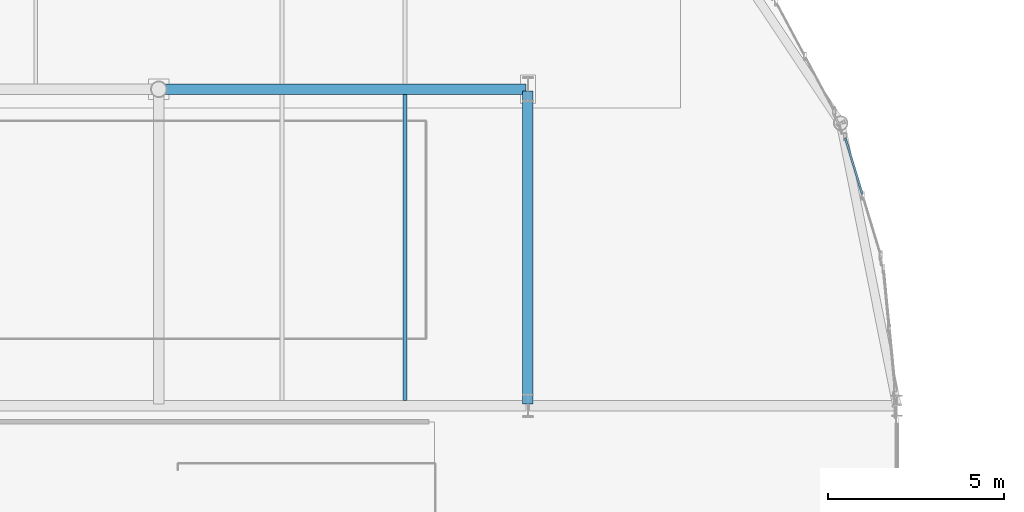
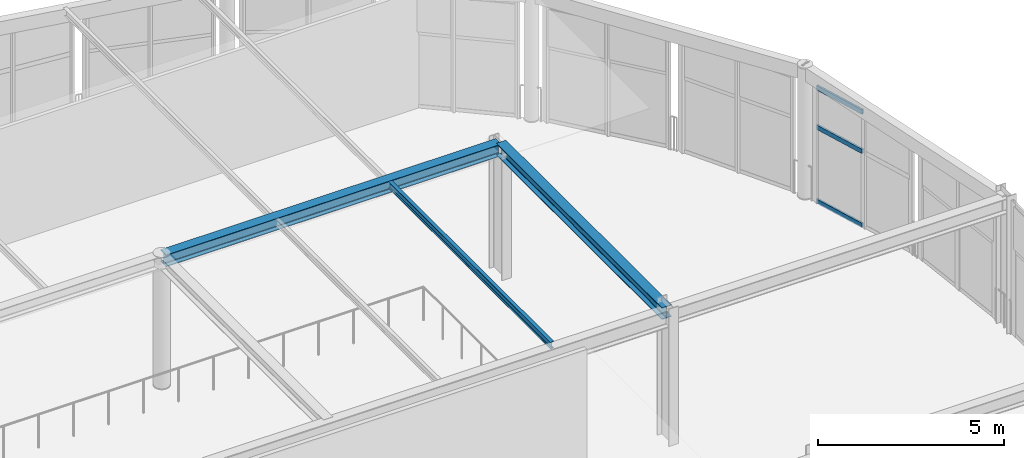
# One storey, part 37 of 105: 3 beams, 3 members, 1 element without a shape of its own.
"""IFC4 building model written with IfcOpenShell, lengths in metres."""

from ifc_helpers import new_model, si_unit, direction, frame, origin, origin_2d, place, context, subcontext, project, spatial, hollow_rectangle, i_section, extrude, material, layer, layer_set, material_profile, profile_set, type_object, element, aggregate, save


model = new_model("IFC4")

# Units and contexts
model_context = context("Model", 3, precision=1e-05, world=origin(), true_north=direction((0.0, 1.0)))
body_context = subcontext(model_context, "Body", "Model", "MODEL_VIEW")
ifc_project = project(units=[si_unit("LENGTHUNIT", "METRE"), si_unit("AREAUNIT", "SQUARE_METRE"), si_unit("VOLUMEUNIT", "CUBIC_METRE"), si_unit("PLANEANGLEUNIT", "RADIAN"), si_unit("MASSUNIT", "GRAM", prefix="KILO")], contexts=[model_context])

# Site, building, storey
site_placement = place(None, origin())
site = spatial("IfcSite", under=ifc_project, at=site_placement, CompositionType="ELEMENT")
building_placement = place(site_placement, origin())
building = spatial("IfcBuilding", under=site, at=building_placement, Name="Marlcrest Central Station", CompositionType="ELEMENT")
storey_placement = place(building_placement, frame((0.0, 0.0, 15.0)))
storey = spatial("IfcBuildingStorey", under=building, at=storey_placement, Name="L03", CompositionType="ELEMENT", Elevation=15.0)

# Beams
ifc_material_1 = material(Name="Steel S355", Category="steel")
ifc_material_profile_1 = material_profile(ifc_material_1, i_section(OverallWidth=0.300048828125, OverallDepth=0.389892578125, WebThickness=0.010986328125, FlangeThickness=0.01904296875, FilletRadius=0.027099609375, at=origin_2d()), Name="HEA 400")
ifc_profile_set_1 = profile_set([ifc_material_profile_1], Name="Steel S355")
beam_type_1 = type_object("IfcBeamType", Name="BM-08", PredefinedType="BEAM", material=ifc_profile_set_1)
beam_1_placement = place(storey_placement, frame((108.050048828125, 119.5, 4.1298828125), z_axis=(1.0, 0.0, 0.0), x_axis=(0.0, 1.0, 0.0)))
element("IfcBeam", 1, at=beam_1_placement, inside=storey, type_object=beam_type_1, Name="bm-BM-08-L03-01527", PredefinedType="BEAM", context=body_context, shape_type="SweptSolid", body=[
    extrude(i_section(OverallWidth=0.300048828125, OverallDepth=0.389892578125, WebThickness=0.010986328125, FlangeThickness=0.01904296875, FilletRadius=0.027099609375, at=origin_2d()), origin(), (0.0, 0.0, 1.0), 10.39990234375),
])
beam_2_placement = place(storey_placement, frame((118.5, 110.550048828125, 4.1298828125), z_axis=(0.0, 1.0, 0.0), x_axis=(-1.0, 0.0, 0.0)))
element("IfcBeam", 2, at=beam_2_placement, inside=storey, type_object=beam_type_1, Name="bm-BM-08-L03-01530", PredefinedType="BEAM", context=body_context, shape_type="SweptSolid", body=[
    extrude(i_section(OverallWidth=0.300048828125, OverallDepth=0.389892578125, WebThickness=0.010986328125, FlangeThickness=0.01904296875, FilletRadius=0.027099609375, at=origin_2d()), origin(), (0.0, 0.0, 1.0), 8.89990234375),
])
ifc_material_profile_2 = material_profile(ifc_material_1, i_section(OverallWidth=0.110107421875, OverallDepth=0.219970703125, WebThickness=0.005859375, FlangeThickness=0.00927734375, FilletRadius=0.011962890625, at=origin_2d()), Name="IPE 220")
ifc_profile_set_2 = profile_set([ifc_material_profile_2], Name="Steel S355")
beam_type_2 = type_object("IfcBeamType", Name="JS-02", PredefinedType="JOIST", material=ifc_profile_set_2)
beam_3_placement = place(storey_placement, frame((115.0, 110.64794921875, 4.215087890625), z_axis=(0.0, 1.0, 0.0), x_axis=(-1.0, 0.0, 0.0)))
element("IfcBeam", 3, at=beam_3_placement, inside=storey, type_object=beam_type_2, Name="bm-JS-02-L03-01536", PredefinedType="JOIST", context=body_context, shape_type="SweptSolid", body=[
    extrude(i_section(OverallWidth=0.110107421875, OverallDepth=0.219970703125, WebThickness=0.005859375, FlangeThickness=0.00927734375, FilletRadius=0.011962890625, at=origin_2d()), origin(), (0.0, 0.0, 1.0), 8.7041015625),
])

# Curtain wall, members
ifc_material_2 = material(Name="Anodised aluminium and hurricane laminated glass", Category="aluminium")
ifc_layer = layer(ifc_material_2, 0.219970703125, Name="CW-U1")
ifc_layer_set = layer_set([ifc_layer], Name="Anodised aluminium and hurricane laminated glass")
curtain_wall_type = type_object("IfcCurtainWallType", Name="CW-U1", PredefinedType="USERDEFINED", material=ifc_layer_set)
curtain_wall_placement = place(storey_placement, origin())
curtain_wall = element("IfcCurtainWall", 4, at=curtain_wall_placement, inside=storey, type_object=curtain_wall_type, Name="cw-L03-0097", ObjectType="UNITISED_CURTAIN_WALL", PredefinedType="USERDEFINED")
ifc_material_3 = material(Name="Anodised aluminium 6063-T6", Category="aluminium")
ifc_material_profile_3 = material_profile(ifc_material_3, hollow_rectangle(XDim=0.06005859375, YDim=0.14990234375, WallThickness=0.00390625, at=origin_2d()), Name="AA-RHS 150x60x4")
ifc_profile_set_3 = profile_set([ifc_material_profile_3], Name="Anodised aluminium 6063-T6")
member_type = type_object("IfcMemberType", Name="TR-01", PredefinedType="USERDEFINED", material=ifc_profile_set_3)
member_1_placement = place(storey_placement, frame((127.529296875, 118.113037109375, 0.0400390625), z_axis=(0.29025787087, -0.95694846695, 0.0), x_axis=(0.95694846695, 0.29025787087, 0.0)))
member_1 = element("IfcMember", 5, at=member_1_placement, type_object=member_type, Name="cw-L03-0097-tr-0-sill", ObjectType="TRANSOM", PredefinedType="USERDEFINED", context=body_context, shape_type="SweptSolid", body=[
    extrude(hollow_rectangle(XDim=0.06005859375, YDim=0.14990234375, WallThickness=0.00390625, at=origin_2d()), origin(), (0.0, 0.0, 1.0), 1.67724609375),
])
member_2_placement = place(storey_placement, frame((127.529296875, 118.113037109375, 2.469970703125), z_axis=(0.29025787087, -0.95694846695, 0.0), x_axis=(0.95694846695, 0.29025787087, 0.0)))
member_2 = element("IfcMember", 6, at=member_2_placement, type_object=member_type, Name="cw-L03-0097-tr-0-mid", ObjectType="TRANSOM", PredefinedType="USERDEFINED", context=body_context, shape_type="SweptSolid", body=[
    extrude(hollow_rectangle(XDim=0.06005859375, YDim=0.14990234375, WallThickness=0.00390625, at=origin_2d()), origin(), (0.0, 0.0, 1.0), 1.67724609375),
])
member_3_placement = place(storey_placement, frame((127.529296875, 118.113037109375, 3.760009765625), z_axis=(0.29025787087, -0.95694846695, 0.0), x_axis=(0.95694846695, 0.29025787087, 0.0)))
member_3 = element("IfcMember", 7, at=member_3_placement, type_object=member_type, Name="cw-L03-0097-tr-0-head", ObjectType="TRANSOM", PredefinedType="USERDEFINED", context=body_context, shape_type="SweptSolid", body=[
    extrude(hollow_rectangle(XDim=0.06005859375, YDim=0.14990234375, WallThickness=0.00390625, at=origin_2d()), origin(), (0.0, 0.0, 1.0), 1.67724609375),
])
aggregate(curtain_wall, [member_1, member_2, member_3])

save(model, "model.ifc")
